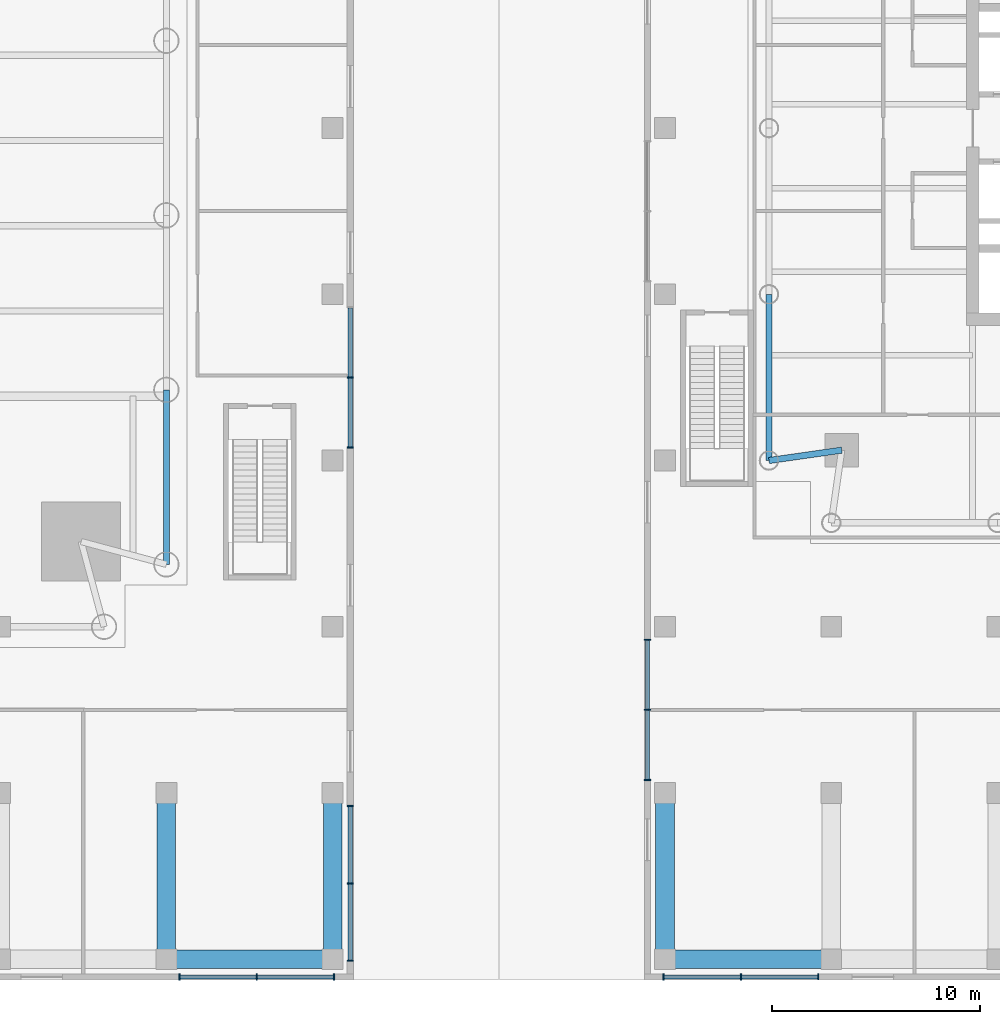
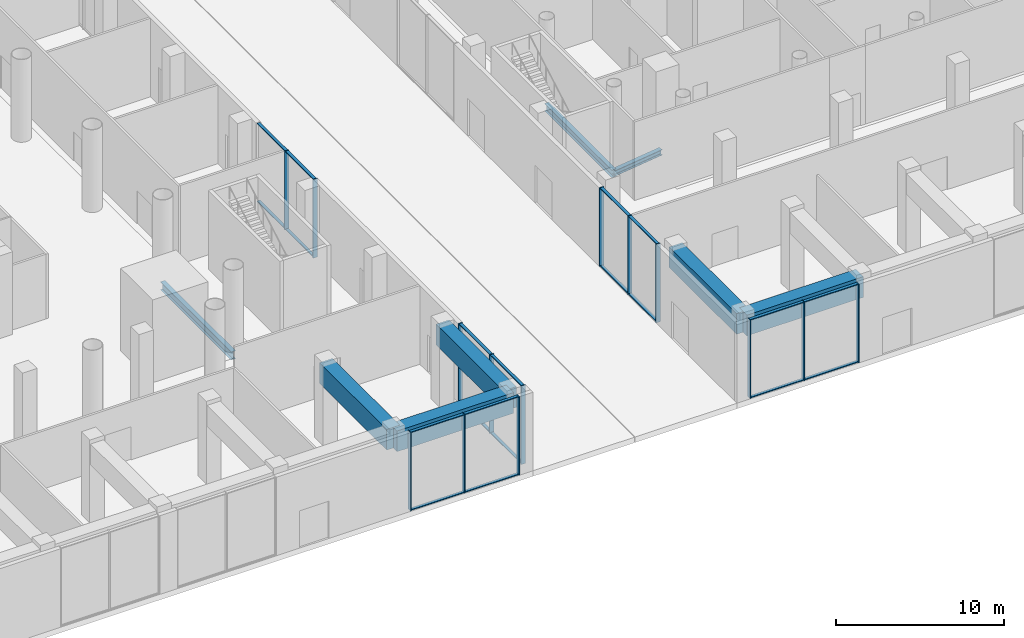
# One storey, part 9 of 39: 34 members, 8 beams, 5 elements without a shape of their own.
"""IFC4 building model written with IfcOpenShell, lengths in metres."""

from ifc_helpers import new_model, si_unit, direction, frame, origin, origin_2d, place, context, subcontext, project, spatial, rectangle, i_section, extrude, material, material_profile, profile_set, type_object, element, aggregate, save


model = new_model("IFC4")

# Units and contexts
model_context = context("Model", 3, precision=1e-05, world=origin(), true_north=direction((0.0, 1.0)))
body_context = subcontext(model_context, "Body", "Model", "MODEL_VIEW")
ifc_project = project(units=[si_unit("LENGTHUNIT", "METRE"), si_unit("AREAUNIT", "SQUARE_METRE"), si_unit("VOLUMEUNIT", "CUBIC_METRE"), si_unit("PLANEANGLEUNIT", "RADIAN"), si_unit("MASSUNIT", "GRAM", prefix="KILO")], contexts=[model_context])

# Site, building, storey
site_placement = place(None, origin())
site = spatial("IfcSite", under=ifc_project, at=site_placement, CompositionType="ELEMENT")
building_placement = place(site_placement, origin())
building = spatial("IfcBuilding", under=site, at=building_placement, Name="Ostroluk Exchange", CompositionType="ELEMENT")
storey_placement = place(building_placement, origin())
storey = spatial("IfcBuildingStorey", under=building, at=storey_placement, Name="L00", CompositionType="ELEMENT", Elevation=0.0)

# Beams
ifc_material_1 = material(Name="Steel S355", Category="steel")
ifc_material_profile_1 = material_profile(ifc_material_1, i_section(OverallWidth=0.300048828125, OverallDepth=0.39990234375, WebThickness=0.013427734375, FlangeThickness=0.02392578125, FilletRadius=0.027099609375, at=origin_2d()), Name="HEB 400")
ifc_profile_set_1 = profile_set([ifc_material_profile_1], Name="Steel S355")
beam_type_1 = type_object("IfcBeamType", Name="Corner edge beam HEB 400", PredefinedType="SPANDREL", material=ifc_profile_set_1)
beam_1_placement = place(storey_placement, frame((101.5, 30.5, -0.5), z_axis=(-0.989949493661, -0.141421356237, 0.0), x_axis=(0.141421356237, -0.989949493661, 0.0)))
element("IfcBeam", 1, at=beam_1_placement, inside=storey, type_object=beam_type_1, Name="T2 west corner edge beam a", PredefinedType="SPANDREL", context=body_context, shape_type="SweptSolid", body=[
    extrude(i_section(OverallWidth=0.300048828125, OverallDepth=0.39990234375, WebThickness=0.013427734375, FlangeThickness=0.02392578125, FilletRadius=0.027099609375, at=origin_2d()), origin(), (0.0, 0.0, 1.0), 3.53564453125),
])
ifc_material_2 = material(Name="Steel S355", Category="steel")
ifc_material_profile_2 = material_profile(ifc_material_2, i_section(OverallWidth=0.300048828125, OverallDepth=0.550048828125, WebThickness=0.014892578125, FlangeThickness=0.029052734375, FilletRadius=0.027099609375, at=origin_2d()), Name="HEB 550")
ifc_profile_set_2 = profile_set([ifc_material_profile_2], Name="Steel S355")
beam_type_2 = type_object("IfcBeamType", Name="Moment-connected edge beam HEB 550", PredefinedType="SPANDREL", material=ifc_profile_set_2)
beam_2_placement = place(storey_placement, frame((98.0, 38.0, -0.574951171875), z_axis=(0.0, -1.0, 0.0), x_axis=(1.0, 0.0, 0.0)))
element("IfcBeam", 2, at=beam_2_placement, inside=storey, type_object=beam_type_2, Name="T2 west edge beam 4", PredefinedType="SPANDREL", context=body_context, shape_type="SweptSolid", body=[
    extrude(i_section(OverallWidth=0.300048828125, OverallDepth=0.550048828125, WebThickness=0.014892578125, FlangeThickness=0.029052734375, FilletRadius=0.027099609375, at=origin_2d()), origin(), (0.0, 0.0, 1.0), 8.0),
])
ifc_material_3 = material(Name="Steel S355", Category="steel")
ifc_material_profile_3 = material_profile(ifc_material_3, i_section(OverallWidth=0.300048828125, OverallDepth=0.60009765625, WebThickness=0.015380859375, FlangeThickness=0.030029296875, FilletRadius=0.027099609375, at=origin_2d()), Name="HEB 600")
ifc_profile_set_3 = profile_set([ifc_material_profile_3], Name="Steel S355")
beam_type_3 = type_object("IfcBeamType", Name="Moment-connected edge beam HEB 600", PredefinedType="SPANDREL", material=ifc_profile_set_3)
beam_3_placement = place(storey_placement, frame((69.0, 25.0, -0.60009765625), z_axis=(0.0, 1.0, 0.0), x_axis=(-1.0, 0.0, 0.0)))
element("IfcBeam", 3, at=beam_3_placement, inside=storey, type_object=beam_type_3, Name="T1 east edge beam 1", PredefinedType="SPANDREL", context=body_context, shape_type="SweptSolid", body=[
    extrude(i_section(OverallWidth=0.300048828125, OverallDepth=0.60009765625, WebThickness=0.015380859375, FlangeThickness=0.030029296875, FilletRadius=0.027099609375, at=origin_2d()), origin(), (0.0, 0.0, 1.0), 8.39990234375),
])
ifc_material_4 = material(Name="Concrete C50/60", Category="concrete")
ifc_material_profile_4 = material_profile(ifc_material_4, rectangle(XDim=0.89990234375, YDim=1.5, at=origin_2d()), Name="RC 900x1500")
ifc_profile_set_4 = profile_set([ifc_material_profile_4], Name="Concrete C50/60")
beam_type_4 = type_object("IfcBeamType", Name="Podium edge beam RC 900x1500", PredefinedType="BEAM", material=ifc_profile_set_4)
for number, where, z_axis, x_axis, name in (
    (4, (69.0, 6.0, 4.949951171875), (0.0, 1.0, 0.0), (-1.0, 0.0, 0.0), "Terrace beam L01 west S 69"),
    (5, (77.0, 6.0, 4.949951171875), (0.0, 1.0, 0.0), (-1.0, 0.0, 0.0), "Terrace beam L01 west S 77"),
    (6, (93.0, 6.0, 4.949951171875), (0.0, 1.0, 0.0), (-1.0, 0.0, 0.0), "Terrace beam L01 east S 93"),
    (7, (69.0, 6.0, 4.949951171875), (1.0, 0.0, 0.0), (0.0, 1.0, 0.0), "Terrace bay beam L01 Y6-69"),
    (8, (93.0, 6.0, 4.949951171875), (1.0, 0.0, 0.0), (0.0, 1.0, 0.0), "Terrace bay beam L01 Y6-93"),
):
    element("IfcBeam", number, at=place(storey_placement, frame(where, z_axis=z_axis, x_axis=x_axis)), inside=storey, type_object=beam_type_4, Name=name, PredefinedType="BEAM", context=body_context, shape_type="SweptSolid", body=[
        extrude(rectangle(XDim=0.89990234375, YDim=1.5, at=origin_2d()), origin(), (0.0, 0.0, 1.0), 8.0),
    ])

# Curtain wall, members
ifc_material_5 = material(Name="Laminated clear glass", Category="glass")
curtain_wall_type = type_object("IfcCurtainWallType", Name="Podium shopfront", PredefinedType="USERDEFINED", material=ifc_material_5)
curtain_wall_1_placement = place(storey_placement, origin())
curtain_wall_1 = element("IfcCurtainWall", 9, at=curtain_wall_1_placement, inside=storey, type_object=curtain_wall_type, Name="Podium west S shopfront 6", ObjectType="STICK SHOPFRONT", PredefinedType="USERDEFINED")
ifc_material_6 = material(Name="Aluminium mullion", Category="aluminium")
ifc_material_profile_5 = material_profile(ifc_material_6, rectangle(XDim=0.300048828125, YDim=0.06005859375, at=origin_2d()), Name="Shopfront mullion 60 x 300")
ifc_profile_set_5 = profile_set([ifc_material_profile_5], Name="Aluminium mullion")
member_type_1 = type_object("IfcMemberType", Name="Shopfront mullion 60 x 300", PredefinedType="MULLION", material=ifc_profile_set_5)
member_1_placement = place(storey_placement, frame((69.6298828125, 5.14990234375, 0.0), z_axis=(0.0, 0.0, 1.0), x_axis=(0.0, 1.0, 0.0)))
member_1 = element("IfcMember", 10, at=member_1_placement, type_object=member_type_1, Name="CW-SF1 mullion 1", PredefinedType="MULLION", context=body_context, shape_type="SweptSolid", body=[
    extrude(rectangle(XDim=0.300048828125, YDim=0.06005859375, at=origin_2d()), origin(), (0.0, 0.0, 1.0), 5.699951171875),
])
member_2_placement = place(storey_placement, frame((73.35009765625, 5.14990234375, 0.0), z_axis=(0.0, 0.0, 1.0), x_axis=(0.0, 1.0, 0.0)))
member_2 = element("IfcMember", 11, at=member_2_placement, type_object=member_type_1, Name="CW-SF1 mullion 2", PredefinedType="MULLION", context=body_context, shape_type="SweptSolid", body=[
    extrude(rectangle(XDim=0.300048828125, YDim=0.06005859375, at=origin_2d()), origin(), (0.0, 0.0, 1.0), 5.699951171875),
])
member_3_placement = place(storey_placement, frame((77.070068359375, 5.14990234375, 0.0), z_axis=(0.0, 0.0, 1.0), x_axis=(0.0, 1.0, 0.0)))
member_3 = element("IfcMember", 12, at=member_3_placement, type_object=member_type_1, Name="CW-SF1 mullion 3", PredefinedType="MULLION", context=body_context, shape_type="SweptSolid", body=[
    extrude(rectangle(XDim=0.300048828125, YDim=0.06005859375, at=origin_2d()), origin(), (0.0, 0.0, 1.0), 5.699951171875),
])

curtain_wall_2_placement = place(storey_placement, origin())
curtain_wall_2 = element("IfcCurtainWall", 13, at=curtain_wall_2_placement, inside=storey, type_object=curtain_wall_type, Name="Podium west E shopfront 1", ObjectType="STICK SHOPFRONT", PredefinedType="USERDEFINED")
member_4_placement = place(storey_placement, frame((77.85009765625, 5.929931640625, 0.0), z_axis=(0.0, 0.0, 1.0), x_axis=(-1.0, 0.0, 0.0)))
member_4 = element("IfcMember", 14, at=member_4_placement, type_object=member_type_1, Name="CW-SF1 mullion 1", PredefinedType="MULLION", context=body_context, shape_type="SweptSolid", body=[
    extrude(rectangle(XDim=0.300048828125, YDim=0.06005859375, at=origin_2d()), origin(), (0.0, 0.0, 1.0), 5.699951171875),
])
member_5_placement = place(storey_placement, frame((77.85009765625, 9.64990234375, 0.0), z_axis=(0.0, 0.0, 1.0), x_axis=(-1.0, 0.0, 0.0)))
member_5 = element("IfcMember", 15, at=member_5_placement, type_object=member_type_1, Name="CW-SF1 mullion 2", PredefinedType="MULLION", context=body_context, shape_type="SweptSolid", body=[
    extrude(rectangle(XDim=0.300048828125, YDim=0.06005859375, at=origin_2d()), origin(), (0.0, 0.0, 1.0), 5.699951171875),
])
member_6_placement = place(storey_placement, frame((77.85009765625, 13.3701171875, 0.0), z_axis=(0.0, 0.0, 1.0), x_axis=(-1.0, 0.0, 0.0)))
member_6 = element("IfcMember", 16, at=member_6_placement, type_object=member_type_1, Name="CW-SF1 mullion 3", PredefinedType="MULLION", context=body_context, shape_type="SweptSolid", body=[
    extrude(rectangle(XDim=0.300048828125, YDim=0.06005859375, at=origin_2d()), origin(), (0.0, 0.0, 1.0), 5.699951171875),
])

curtain_wall_3_placement = place(storey_placement, origin())
curtain_wall_3 = element("IfcCurtainWall", 17, at=curtain_wall_3_placement, inside=storey, type_object=curtain_wall_type, Name="Podium west E shopfront 2", ObjectType="STICK SHOPFRONT", PredefinedType="USERDEFINED")
member_7_placement = place(storey_placement, frame((77.85009765625, 30.6298828125, 0.0), z_axis=(0.0, 0.0, 1.0), x_axis=(-1.0, 0.0, 0.0)))
member_7 = element("IfcMember", 18, at=member_7_placement, type_object=member_type_1, Name="CW-SF1 mullion 1", PredefinedType="MULLION", context=body_context, shape_type="SweptSolid", body=[
    extrude(rectangle(XDim=0.300048828125, YDim=0.06005859375, at=origin_2d()), origin(), (0.0, 0.0, 1.0), 5.699951171875),
])
member_8_placement = place(storey_placement, frame((77.85009765625, 34.0, 0.0), z_axis=(0.0, 0.0, 1.0), x_axis=(-1.0, 0.0, 0.0)))
member_8 = element("IfcMember", 19, at=member_8_placement, type_object=member_type_1, Name="CW-SF1 mullion 2", PredefinedType="MULLION", context=body_context, shape_type="SweptSolid", body=[
    extrude(rectangle(XDim=0.300048828125, YDim=0.06005859375, at=origin_2d()), origin(), (0.0, 0.0, 1.0), 5.699951171875),
])

curtain_wall_4_placement = place(storey_placement, origin())
curtain_wall_4 = element("IfcCurtainWall", 20, at=curtain_wall_4_placement, inside=storey, type_object=curtain_wall_type, Name="Podium east S shopfront 1", ObjectType="STICK SHOPFRONT", PredefinedType="USERDEFINED")
member_9_placement = place(storey_placement, frame((92.929931640625, 5.14990234375, 0.0), z_axis=(0.0, 0.0, 1.0), x_axis=(0.0, 1.0, 0.0)))
member_9 = element("IfcMember", 21, at=member_9_placement, type_object=member_type_1, Name="CW-SF1 mullion 1", PredefinedType="MULLION", context=body_context, shape_type="SweptSolid", body=[
    extrude(rectangle(XDim=0.300048828125, YDim=0.06005859375, at=origin_2d()), origin(), (0.0, 0.0, 1.0), 5.699951171875),
])
member_10_placement = place(storey_placement, frame((96.64990234375, 5.14990234375, 0.0), z_axis=(0.0, 0.0, 1.0), x_axis=(0.0, 1.0, 0.0)))
member_10 = element("IfcMember", 22, at=member_10_placement, type_object=member_type_1, Name="CW-SF1 mullion 2", PredefinedType="MULLION", context=body_context, shape_type="SweptSolid", body=[
    extrude(rectangle(XDim=0.300048828125, YDim=0.06005859375, at=origin_2d()), origin(), (0.0, 0.0, 1.0), 5.699951171875),
])
member_11_placement = place(storey_placement, frame((100.3701171875, 5.14990234375, 0.0), z_axis=(0.0, 0.0, 1.0), x_axis=(0.0, 1.0, 0.0)))
member_11 = element("IfcMember", 23, at=member_11_placement, type_object=member_type_1, Name="CW-SF1 mullion 3", PredefinedType="MULLION", context=body_context, shape_type="SweptSolid", body=[
    extrude(rectangle(XDim=0.300048828125, YDim=0.06005859375, at=origin_2d()), origin(), (0.0, 0.0, 1.0), 5.699951171875),
])

curtain_wall_5_placement = place(storey_placement, origin())
curtain_wall_5 = element("IfcCurtainWall", 24, at=curtain_wall_5_placement, inside=storey, type_object=curtain_wall_type, Name="Podium east W shopfront 4", ObjectType="STICK SHOPFRONT", PredefinedType="USERDEFINED")
member_12_placement = place(storey_placement, frame((92.14990234375, 21.3701171875, 0.0), z_axis=(0.0, 0.0, 1.0), x_axis=(1.0, 0.0, 0.0)))
member_12 = element("IfcMember", 25, at=member_12_placement, type_object=member_type_1, Name="CW-SF1 mullion 1", PredefinedType="MULLION", context=body_context, shape_type="SweptSolid", body=[
    extrude(rectangle(XDim=0.300048828125, YDim=0.06005859375, at=origin_2d()), origin(), (0.0, 0.0, 1.0), 5.699951171875),
])
member_13_placement = place(storey_placement, frame((92.14990234375, 18.0, 0.0), z_axis=(0.0, 0.0, 1.0), x_axis=(1.0, 0.0, 0.0)))
member_13 = element("IfcMember", 26, at=member_13_placement, type_object=member_type_1, Name="CW-SF1 mullion 2", PredefinedType="MULLION", context=body_context, shape_type="SweptSolid", body=[
    extrude(rectangle(XDim=0.300048828125, YDim=0.06005859375, at=origin_2d()), origin(), (0.0, 0.0, 1.0), 5.699951171875),
])
member_14_placement = place(storey_placement, frame((92.14990234375, 14.6298828125, 0.0), z_axis=(0.0, 0.0, 1.0), x_axis=(1.0, 0.0, 0.0)))
member_14 = element("IfcMember", 27, at=member_14_placement, type_object=member_type_1, Name="CW-SF1 mullion 3", PredefinedType="MULLION", context=body_context, shape_type="SweptSolid", body=[
    extrude(rectangle(XDim=0.300048828125, YDim=0.06005859375, at=origin_2d()), origin(), (0.0, 0.0, 1.0), 5.699951171875),
])

# Member
ifc_material_7 = material(Name="Aluminium mullion", Category="aluminium")
ifc_material_profile_6 = material_profile(ifc_material_7, rectangle(XDim=0.199951171875, YDim=0.06005859375, at=origin_2d()), Name="Shopfront transom 60 x 200")
ifc_profile_set_6 = profile_set([ifc_material_profile_6], Name="Aluminium mullion")
member_type_2 = type_object("IfcMemberType", Name="Shopfront transom 60 x 200", PredefinedType="USERDEFINED", material=ifc_profile_set_6)
member_15_placement = place(storey_placement, frame((69.659912109375, 5.14990234375, 0.030029296875), z_axis=(1.0, 0.0, 0.0), x_axis=(0.0, 1.0, 0.0)))
member_15 = element("IfcMember", 28, at=member_15_placement, type_object=member_type_2, Name="CW-SF1 transom 1.1", ObjectType="TRANSOM", PredefinedType="USERDEFINED", context=body_context, shape_type="SweptSolid", body=[
    extrude(rectangle(XDim=0.199951171875, YDim=0.06005859375, at=origin_2d()), origin(), (0.0, 0.0, 1.0), 3.66015625),
])

member_16_placement = place(storey_placement, frame((69.659912109375, 5.14990234375, 5.669921875), z_axis=(1.0, 0.0, 0.0), x_axis=(0.0, 1.0, 0.0)))
member_16 = element("IfcMember", 29, at=member_16_placement, type_object=member_type_2, Name="CW-SF1 transom 1.2", ObjectType="TRANSOM", PredefinedType="USERDEFINED", context=body_context, shape_type="SweptSolid", body=[
    extrude(rectangle(XDim=0.199951171875, YDim=0.06005859375, at=origin_2d()), origin(), (0.0, 0.0, 1.0), 3.66015625),
])

member_17_placement = place(storey_placement, frame((73.3798828125, 5.14990234375, 0.030029296875), z_axis=(1.0, 0.0, 0.0), x_axis=(0.0, 1.0, 0.0)))
member_17 = element("IfcMember", 30, at=member_17_placement, type_object=member_type_2, Name="CW-SF1 transom 2.1", ObjectType="TRANSOM", PredefinedType="USERDEFINED", context=body_context, shape_type="SweptSolid", body=[
    extrude(rectangle(XDim=0.199951171875, YDim=0.06005859375, at=origin_2d()), origin(), (0.0, 0.0, 1.0), 3.66015625),
])

member_18_placement = place(storey_placement, frame((73.3798828125, 5.14990234375, 5.669921875), z_axis=(1.0, 0.0, 0.0), x_axis=(0.0, 1.0, 0.0)))
member_18 = element("IfcMember", 31, at=member_18_placement, type_object=member_type_2, Name="CW-SF1 transom 2.2", ObjectType="TRANSOM", PredefinedType="USERDEFINED", context=body_context, shape_type="SweptSolid", body=[
    extrude(rectangle(XDim=0.199951171875, YDim=0.06005859375, at=origin_2d()), origin(), (0.0, 0.0, 1.0), 3.66015625),
])

aggregate(curtain_wall_1, [member_1, member_2, member_3, member_15, member_16, member_17, member_18])

member_19_placement = place(storey_placement, frame((77.85009765625, 5.9599609375, 0.030029296875), z_axis=(0.0, 1.0, 0.0), x_axis=(-1.0, 0.0, 0.0)))
member_19 = element("IfcMember", 32, at=member_19_placement, type_object=member_type_2, Name="CW-SF1 transom 1.1", ObjectType="TRANSOM", PredefinedType="USERDEFINED", context=body_context, shape_type="SweptSolid", body=[
    extrude(rectangle(XDim=0.199951171875, YDim=0.06005859375, at=origin_2d()), origin(), (0.0, 0.0, 1.0), 3.66015625),
])

member_20_placement = place(storey_placement, frame((77.85009765625, 5.9599609375, 5.669921875), z_axis=(0.0, 1.0, 0.0), x_axis=(-1.0, 0.0, 0.0)))
member_20 = element("IfcMember", 33, at=member_20_placement, type_object=member_type_2, Name="CW-SF1 transom 1.2", ObjectType="TRANSOM", PredefinedType="USERDEFINED", context=body_context, shape_type="SweptSolid", body=[
    extrude(rectangle(XDim=0.199951171875, YDim=0.06005859375, at=origin_2d()), origin(), (0.0, 0.0, 1.0), 3.66015625),
])

member_21_placement = place(storey_placement, frame((77.85009765625, 9.679931640625, 0.030029296875), z_axis=(0.0, 1.0, 0.0), x_axis=(-1.0, 0.0, 0.0)))
member_21 = element("IfcMember", 34, at=member_21_placement, type_object=member_type_2, Name="CW-SF1 transom 2.1", ObjectType="TRANSOM", PredefinedType="USERDEFINED", context=body_context, shape_type="SweptSolid", body=[
    extrude(rectangle(XDim=0.199951171875, YDim=0.06005859375, at=origin_2d()), origin(), (0.0, 0.0, 1.0), 3.66015625),
])

member_22_placement = place(storey_placement, frame((77.85009765625, 9.679931640625, 5.669921875), z_axis=(0.0, 1.0, 0.0), x_axis=(-1.0, 0.0, 0.0)))
member_22 = element("IfcMember", 35, at=member_22_placement, type_object=member_type_2, Name="CW-SF1 transom 2.2", ObjectType="TRANSOM", PredefinedType="USERDEFINED", context=body_context, shape_type="SweptSolid", body=[
    extrude(rectangle(XDim=0.199951171875, YDim=0.06005859375, at=origin_2d()), origin(), (0.0, 0.0, 1.0), 3.66015625),
])

aggregate(curtain_wall_2, [member_4, member_5, member_6, member_19, member_20, member_21, member_22])

member_23_placement = place(storey_placement, frame((77.85009765625, 30.659912109375, 0.030029296875), z_axis=(0.0, 1.0, 0.0), x_axis=(-1.0, 0.0, 0.0)))
member_23 = element("IfcMember", 36, at=member_23_placement, type_object=member_type_2, Name="CW-SF1 transom 1.1", ObjectType="TRANSOM", PredefinedType="USERDEFINED", context=body_context, shape_type="SweptSolid", body=[
    extrude(rectangle(XDim=0.199951171875, YDim=0.06005859375, at=origin_2d()), origin(), (0.0, 0.0, 1.0), 3.31005859375),
])

member_24_placement = place(storey_placement, frame((77.85009765625, 30.659912109375, 5.669921875), z_axis=(0.0, 1.0, 0.0), x_axis=(-1.0, 0.0, 0.0)))
member_24 = element("IfcMember", 37, at=member_24_placement, type_object=member_type_2, Name="CW-SF1 transom 1.2", ObjectType="TRANSOM", PredefinedType="USERDEFINED", context=body_context, shape_type="SweptSolid", body=[
    extrude(rectangle(XDim=0.199951171875, YDim=0.06005859375, at=origin_2d()), origin(), (0.0, 0.0, 1.0), 3.31005859375),
])

member_25_placement = place(storey_placement, frame((77.85009765625, 34.030029296875, 0.030029296875), z_axis=(0.0, 1.0, 0.0), x_axis=(-1.0, 0.0, 0.0)))
member_25 = element("IfcMember", 38, at=member_25_placement, type_object=member_type_2, Name="CW-SF1 transom 2.1", ObjectType="TRANSOM", PredefinedType="USERDEFINED", context=body_context, shape_type="SweptSolid", body=[
    extrude(rectangle(XDim=0.199951171875, YDim=0.06005859375, at=origin_2d()), origin(), (0.0, 0.0, 1.0), 3.31005859375),
])

member_26_placement = place(storey_placement, frame((77.85009765625, 34.030029296875, 5.669921875), z_axis=(0.0, 1.0, 0.0), x_axis=(-1.0, 0.0, 0.0)))
member_26 = element("IfcMember", 39, at=member_26_placement, type_object=member_type_2, Name="CW-SF1 transom 2.2", ObjectType="TRANSOM", PredefinedType="USERDEFINED", context=body_context, shape_type="SweptSolid", body=[
    extrude(rectangle(XDim=0.199951171875, YDim=0.06005859375, at=origin_2d()), origin(), (0.0, 0.0, 1.0), 3.31005859375),
])

aggregate(curtain_wall_3, [member_7, member_8, member_23, member_24, member_25, member_26])

member_27_placement = place(storey_placement, frame((92.9599609375, 5.14990234375, 0.030029296875), z_axis=(1.0, 0.0, 0.0), x_axis=(0.0, 1.0, 0.0)))
member_27 = element("IfcMember", 40, at=member_27_placement, type_object=member_type_2, Name="CW-SF1 transom 1.1", ObjectType="TRANSOM", PredefinedType="USERDEFINED", context=body_context, shape_type="SweptSolid", body=[
    extrude(rectangle(XDim=0.199951171875, YDim=0.06005859375, at=origin_2d()), origin(), (0.0, 0.0, 1.0), 3.66015625),
])

member_28_placement = place(storey_placement, frame((92.9599609375, 5.14990234375, 5.669921875), z_axis=(1.0, 0.0, 0.0), x_axis=(0.0, 1.0, 0.0)))
member_28 = element("IfcMember", 41, at=member_28_placement, type_object=member_type_2, Name="CW-SF1 transom 1.2", ObjectType="TRANSOM", PredefinedType="USERDEFINED", context=body_context, shape_type="SweptSolid", body=[
    extrude(rectangle(XDim=0.199951171875, YDim=0.06005859375, at=origin_2d()), origin(), (0.0, 0.0, 1.0), 3.66015625),
])

member_29_placement = place(storey_placement, frame((96.679931640625, 5.14990234375, 0.030029296875), z_axis=(1.0, 0.0, 0.0), x_axis=(0.0, 1.0, 0.0)))
member_29 = element("IfcMember", 42, at=member_29_placement, type_object=member_type_2, Name="CW-SF1 transom 2.1", ObjectType="TRANSOM", PredefinedType="USERDEFINED", context=body_context, shape_type="SweptSolid", body=[
    extrude(rectangle(XDim=0.199951171875, YDim=0.06005859375, at=origin_2d()), origin(), (0.0, 0.0, 1.0), 3.66015625),
])

member_30_placement = place(storey_placement, frame((96.679931640625, 5.14990234375, 5.669921875), z_axis=(1.0, 0.0, 0.0), x_axis=(0.0, 1.0, 0.0)))
member_30 = element("IfcMember", 43, at=member_30_placement, type_object=member_type_2, Name="CW-SF1 transom 2.2", ObjectType="TRANSOM", PredefinedType="USERDEFINED", context=body_context, shape_type="SweptSolid", body=[
    extrude(rectangle(XDim=0.199951171875, YDim=0.06005859375, at=origin_2d()), origin(), (0.0, 0.0, 1.0), 3.66015625),
])

aggregate(curtain_wall_4, [member_9, member_10, member_11, member_27, member_28, member_29, member_30])

member_31_placement = place(storey_placement, frame((92.14990234375, 21.340087890625, 0.030029296875), z_axis=(0.0, -1.0, 0.0), x_axis=(1.0, 0.0, 0.0)))
member_31 = element("IfcMember", 44, at=member_31_placement, type_object=member_type_2, Name="CW-SF1 transom 1.1", ObjectType="TRANSOM", PredefinedType="USERDEFINED", context=body_context, shape_type="SweptSolid", body=[
    extrude(rectangle(XDim=0.199951171875, YDim=0.06005859375, at=origin_2d()), origin(), (0.0, 0.0, 1.0), 3.31005859375),
])

member_32_placement = place(storey_placement, frame((92.14990234375, 21.340087890625, 5.669921875), z_axis=(0.0, -1.0, 0.0), x_axis=(1.0, 0.0, 0.0)))
member_32 = element("IfcMember", 45, at=member_32_placement, type_object=member_type_2, Name="CW-SF1 transom 1.2", ObjectType="TRANSOM", PredefinedType="USERDEFINED", context=body_context, shape_type="SweptSolid", body=[
    extrude(rectangle(XDim=0.199951171875, YDim=0.06005859375, at=origin_2d()), origin(), (0.0, 0.0, 1.0), 3.31005859375),
])

member_33_placement = place(storey_placement, frame((92.14990234375, 17.969970703125, 0.030029296875), z_axis=(0.0, -1.0, 0.0), x_axis=(1.0, 0.0, 0.0)))
member_33 = element("IfcMember", 46, at=member_33_placement, type_object=member_type_2, Name="CW-SF1 transom 2.1", ObjectType="TRANSOM", PredefinedType="USERDEFINED", context=body_context, shape_type="SweptSolid", body=[
    extrude(rectangle(XDim=0.199951171875, YDim=0.06005859375, at=origin_2d()), origin(), (0.0, 0.0, 1.0), 3.31005859375),
])

member_34_placement = place(storey_placement, frame((92.14990234375, 17.969970703125, 5.669921875), z_axis=(0.0, -1.0, 0.0), x_axis=(1.0, 0.0, 0.0)))
member_34 = element("IfcMember", 47, at=member_34_placement, type_object=member_type_2, Name="CW-SF1 transom 2.2", ObjectType="TRANSOM", PredefinedType="USERDEFINED", context=body_context, shape_type="SweptSolid", body=[
    extrude(rectangle(XDim=0.199951171875, YDim=0.06005859375, at=origin_2d()), origin(), (0.0, 0.0, 1.0), 3.31005859375),
])

aggregate(curtain_wall_5, [member_12, member_13, member_14, member_31, member_32, member_33, member_34])

save(model, "model.ifc")
